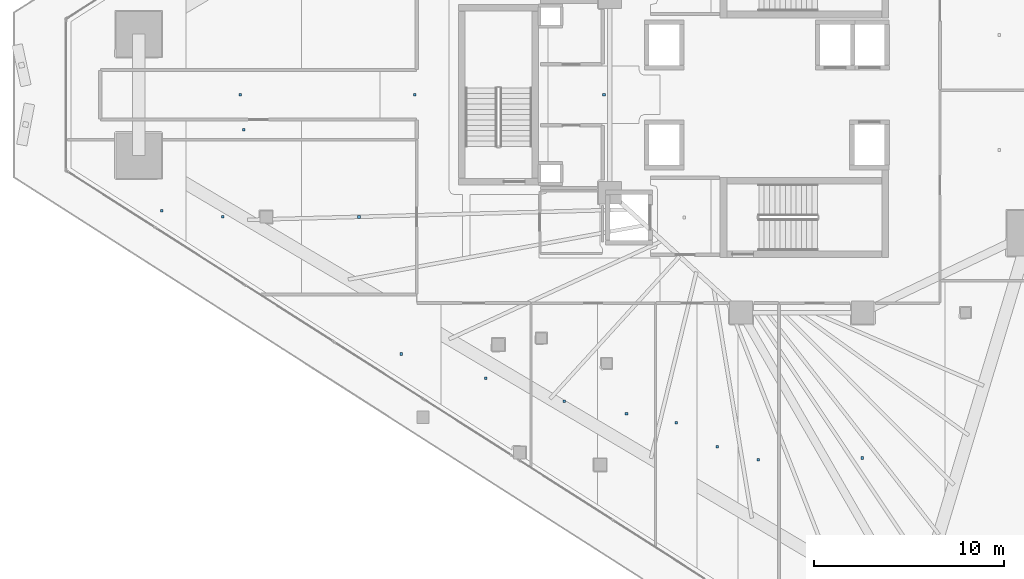
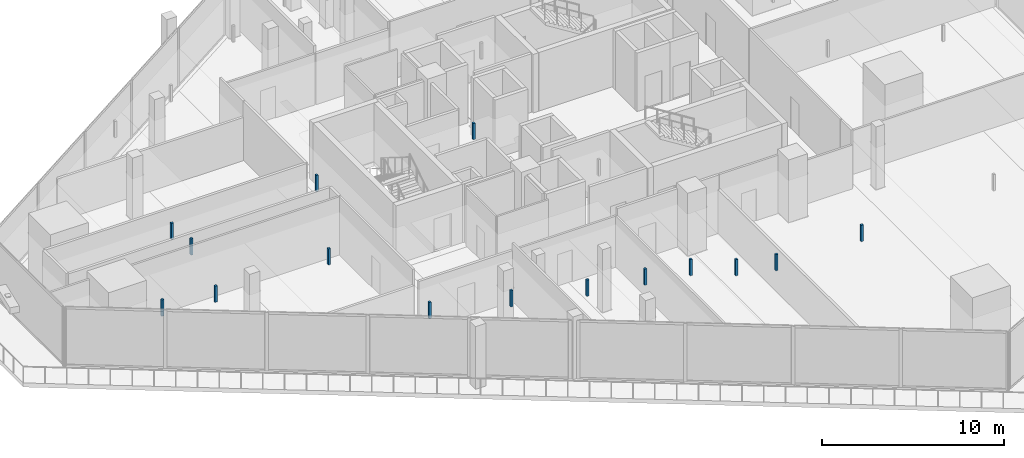
# One storey, part 34 of 47: 15 discrete accessories.
"""IFC4 building model written with IfcOpenShell, lengths in metres."""

from ifc_helpers import new_model, si_unit, direction, frame, origin, origin_2d, place, context, subcontext, project, spatial, rectangle, extrude, material, type_object, element, save


model = new_model("IFC4")

# Units and contexts
model_context = context("Model", 3, precision=1e-05, world=origin(), true_north=direction((0.0, 1.0)))
body_context = subcontext(model_context, "Body", "Model", "MODEL_VIEW")
ifc_project = project(units=[si_unit("LENGTHUNIT", "METRE"), si_unit("AREAUNIT", "SQUARE_METRE"), si_unit("VOLUMEUNIT", "CUBIC_METRE"), si_unit("PLANEANGLEUNIT", "RADIAN"), si_unit("MASSUNIT", "GRAM", prefix="KILO")], contexts=[model_context])

# Site, building, storey
site_placement = place(None, origin())
site = spatial("IfcSite", under=ifc_project, at=site_placement, CompositionType="ELEMENT")
building_placement = place(site_placement, origin())
building = spatial("IfcBuilding", under=site, at=building_placement, Name="Qorvath Tower", CompositionType="ELEMENT")
storey_placement = place(building_placement, frame((0.0, 0.0, 82.800048828125)))
storey = spatial("IfcBuildingStorey", under=building, at=storey_placement, Name="L18", CompositionType="ELEMENT", Elevation=82.800048828125)

# Discrete accessories
ifc_material = material(Name="Galvanised steel bracket", Category="steel")
discrete_accessory_type = type_object("IfcDiscreteAccessoryType", Name="DA-BRACKET", PredefinedType="BRACKET", material=ifc_material)
for number, where, z_axis, x_axis, name in (
    (1, (-49.93359375, 0.0, 2.85986328125), (0.0, 0.0, 1.0), (1.0, 0.0, 0.0), "Acoustic Ceiling Suspension Hanger T1-L18-007"),
    (2, (-40.763916015625, 0.000732421875, 2.85986328125), (0.0, 0.0, 1.0), (1.0, 0.0, 0.0), "Acoustic Ceiling Suspension Hanger T1-L18-008"),
    (3, (-30.813232421875, 0.0, 2.85986328125), (0.0, 0.0, 1.0), (1.0, 0.0, 0.0), "Acoustic Ceiling Suspension Hanger T1-L18-009"),
    (4, (-32.894287109375, -16.1103515625, 2.85986328125), (0.0, 0.0, 1.0), (1.0, 0.0, 0.0), "Acoustic Ceiling Suspension Hanger T1-L18-019"),
    (5, (-29.625244140625, -16.776123046875, 2.85986328125), (0.0, 0.0, 1.0), (1.0, 0.0, 0.0), "Acoustic Ceiling Suspension Hanger T1-L18-020"),
    (6, (-27.00927734375, -17.235595703125, 2.85986328125), (0.0, 0.0, 1.0), (1.0, 0.0, 0.0), "Acoustic Ceiling Suspension Hanger T1-L18-021"),
    (7, (-24.85009765625, -18.4990234375, 2.85986328125), (0.0, 0.0, 1.0), (1.0, 0.0, 0.0), "Acoustic Ceiling Suspension Hanger T1-L18-022"),
    (8, (-22.69091796875, -19.18603515625, 2.85986328125), (0.0, 0.0, 1.0), (1.0, 0.0, 0.0), "Acoustic Ceiling Suspension Hanger T1-L18-023"),
    (9, (-17.238037109375, -19.09912109375, 2.85986328125), (0.0, 0.0, 1.0), (1.0, 0.0, 0.0), "Acoustic Ceiling Suspension Hanger T1-L18-024"),
    (10, (-41.47021484375, -13.624755859375, 2.85986328125), (0.0, 0.0, 1.0), (1.0, 0.0, 0.0), "Acoustic Ceiling Suspension Hanger T1-L18-036"),
    (11, (-37.025390625, -14.903564453125, 2.85986328125), (0.0, 0.0, 1.0), (1.0, 0.0, 0.0), "Acoustic Ceiling Suspension Hanger T1-L18-037"),
    (12, (-54.060546875, -6.0908203125, 2.85986328125), (0.0, 0.0, 1.0), (1.0, 0.0, 0.0), "Acoustic Ceiling Suspension Hanger T1-L18-038"),
    (13, (-50.86767578125, -6.4033203125, 2.85986328125), (0.0, 0.0, 1.0), (1.0, 0.0, 0.0), "Acoustic Ceiling Suspension Hanger T1-L18-039"),
    (14, (-43.6923828125, -6.4228515625, 2.85986328125), (0.0, 0.0, 1.0), (1.0, 0.0, 0.0), "Acoustic Ceiling Suspension Hanger T1-L18-040"),
    (15, (-49.751220703125, -1.829833984375, 2.85986328125), (0.0, 0.0, 1.0), (1.0, 0.0, 0.0), "Acoustic Ceiling Suspension Hanger T1-L18-043"),
):
    element("IfcDiscreteAccessory", number, at=place(storey_placement, frame(where, z_axis=z_axis, x_axis=x_axis)), inside=storey, type_object=discrete_accessory_type, Name=name, PredefinedType="NOTDEFINED", context=body_context, shape_type="SweptSolid", body=[
        extrude(rectangle(XDim=0.139892578125, YDim=0.139892578125, at=origin_2d()), origin(), (0.0, 0.0, 1.0), 1.090087890625),
    ])

save(model, "model.ifc")
